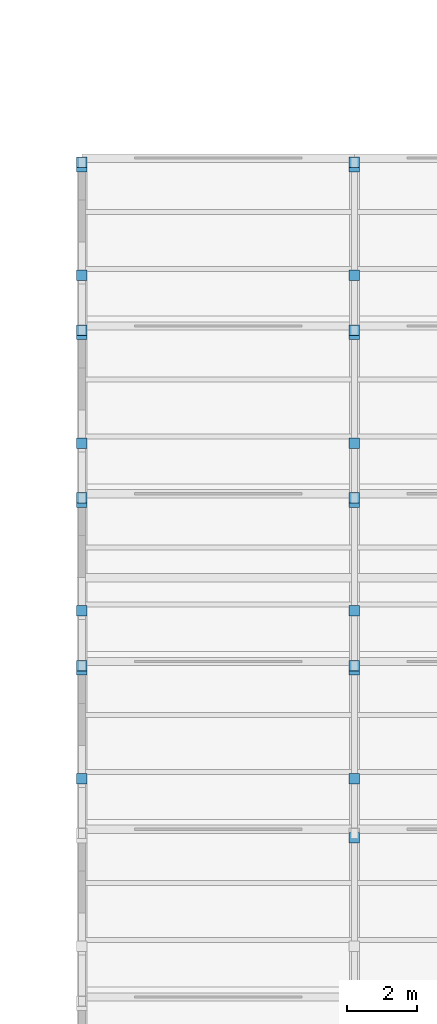
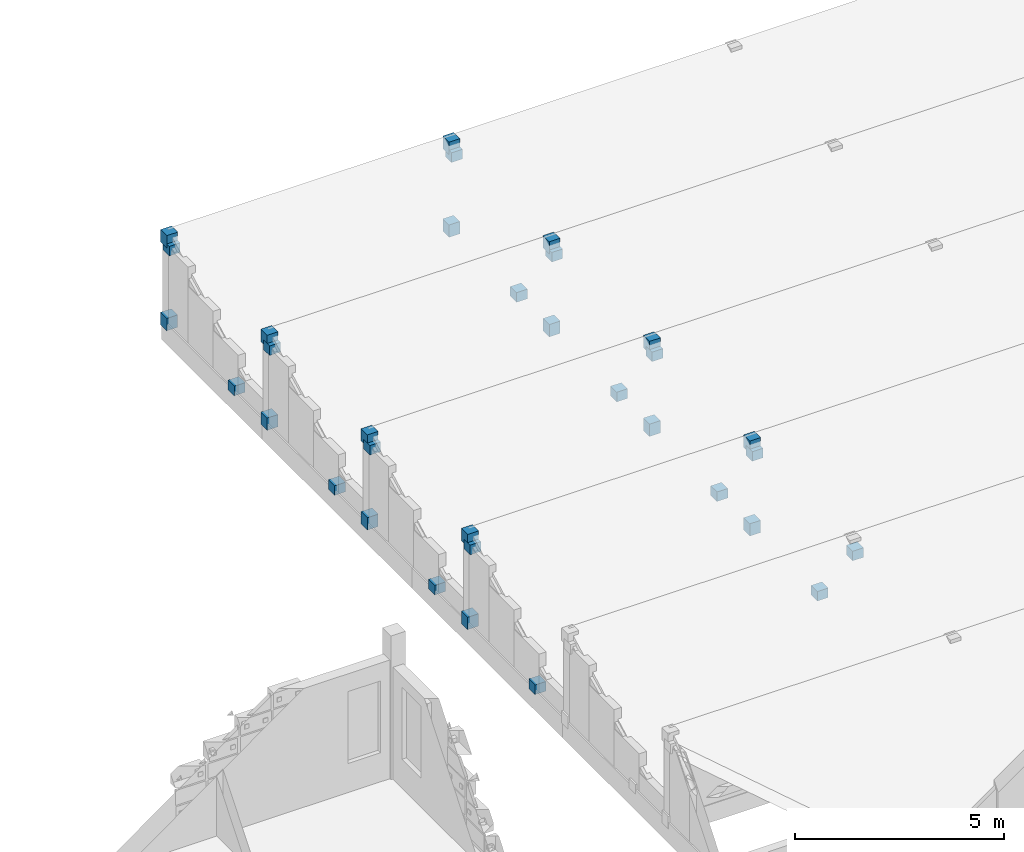
# One storey, part 49 of 81: 33 plates.
"""IFC4 building model written with IfcOpenShell, lengths in metres."""

from ifc_helpers import new_model, si_unit, direction, frame, origin, origin_2d, place, context, subcontext, project, spatial, rectangle, extrude, material, layer, layer_set, type_object, element, save


model = new_model("IFC4")

# Units and contexts
model_context = context("Model", 3, precision=1e-05, world=origin(), true_north=direction((0.0, 1.0)))
body_context = subcontext(model_context, "Body", "Model", "MODEL_VIEW")
ifc_project = project(units=[si_unit("LENGTHUNIT", "METRE"), si_unit("AREAUNIT", "SQUARE_METRE"), si_unit("VOLUMEUNIT", "CUBIC_METRE"), si_unit("PLANEANGLEUNIT", "RADIAN"), si_unit("MASSUNIT", "GRAM", prefix="KILO")], contexts=[model_context])

# Site, building, storey
site_placement = place(None, origin())
site = spatial("IfcSite", under=ifc_project, at=site_placement, CompositionType="ELEMENT")
building_placement = place(site_placement, origin())
building = spatial("IfcBuilding", under=site, at=building_placement, Name="Kahlenmark Community Centre", CompositionType="ELEMENT")
storey_placement = place(building_placement, frame((0.0, 0.0, 9.60009765625)))
storey = spatial("IfcBuildingStorey", under=building, at=storey_placement, Name="L02", CompositionType="ELEMENT", Elevation=9.60009765625)

# Plates
ifc_material = material(Name="Steel S355", Category="steel")
ifc_layer_1 = layer(ifc_material, 0.02392578125)
ifc_layer_set_1 = layer_set([ifc_layer_1], Name="Steel S355")
plate_type_1 = type_object("IfcPlateType", Name="PT-NODE-SN-01-30X30X28", PredefinedType="USERDEFINED", material=ifc_layer_set_1)
for number, where, z_axis, x_axis, name in (
    (1, (129.39990234375, 22.9599609375, 2.080078125), (0.0, 0.0, 1.0), (1.0, 0.0, 0.0), "Steel hollow-node cap plate 0247"),
    (2, (121.60009765625, 27.760009765625, 2.080078125), (0.0, 0.0, 1.0), (1.0, 0.0, 0.0), "Steel hollow-node cap plate 0271"),
    (3, (121.60009765625, 24.64990234375, -0.1201171875), (0.0, 0.0, 1.0), (1.0, 0.0, 0.0), "Steel hollow-node cap plate 0272"),
    (4, (129.39990234375, 27.760009765625, 2.080078125), (0.0, 0.0, 1.0), (1.0, 0.0, 0.0), "Steel hollow-node cap plate 0275"),
    (5, (129.39990234375, 24.64990234375, -0.1201171875), (0.0, 0.0, 1.0), (1.0, 0.0, 0.0), "Steel hollow-node cap plate 0276"),
    (6, (121.60009765625, 32.56005859375, 2.080078125), (0.0, 0.0, 1.0), (1.0, 0.0, 0.0), "Steel hollow-node cap plate 0287"),
    (7, (121.60009765625, 29.449951171875, -0.1201171875), (0.0, 0.0, 1.0), (1.0, 0.0, 0.0), "Steel hollow-node cap plate 0288"),
    (8, (129.39990234375, 32.56005859375, 2.080078125), (0.0, 0.0, 1.0), (1.0, 0.0, 0.0), "Steel hollow-node cap plate 0291"),
    (9, (129.39990234375, 29.449951171875, -0.1201171875), (0.0, 0.0, 1.0), (1.0, 0.0, 0.0), "Steel hollow-node cap plate 0292"),
    (10, (121.60009765625, 37.360107421875, 2.080078125), (0.0, 0.0, 1.0), (1.0, 0.0, 0.0), "Steel hollow-node cap plate 0303"),
    (11, (121.60009765625, 34.25, -0.1201171875), (0.0, 0.0, 1.0), (1.0, 0.0, 0.0), "Steel hollow-node cap plate 0304"),
    (12, (129.39990234375, 37.360107421875, 2.080078125), (0.0, 0.0, 1.0), (1.0, 0.0, 0.0), "Steel hollow-node cap plate 0307"),
    (13, (129.39990234375, 34.25, -0.1201171875), (0.0, 0.0, 1.0), (1.0, 0.0, 0.0), "Steel hollow-node cap plate 0308"),
    (14, (121.60009765625, 42.159912109375, 2.080078125), (0.0, 0.0, 1.0), (1.0, 0.0, 0.0), "Steel hollow-node cap plate 0319"),
    (15, (121.60009765625, 39.050048828125, -0.1201171875), (0.0, 0.0, 1.0), (1.0, 0.0, 0.0), "Steel hollow-node cap plate 0320"),
    (16, (129.39990234375, 42.159912109375, 2.080078125), (0.0, 0.0, 1.0), (1.0, 0.0, 0.0), "Steel hollow-node cap plate 0323"),
    (17, (129.39990234375, 39.050048828125, -0.1201171875), (0.0, 0.0, 1.0), (1.0, 0.0, 0.0), "Steel hollow-node cap plate 0324"),
):
    element("IfcPlate", number, at=place(storey_placement, frame(where, z_axis=z_axis, x_axis=x_axis)), inside=storey, type_object=plate_type_1, Name=name, ObjectType="STIFFENER_PLATE", PredefinedType="USERDEFINED", context=body_context, shape_type="SweptSolid", body=[
        extrude(rectangle(XDim=0.300048828125, YDim=0.300048828125, at=origin_2d()), origin(), (0.0, 0.0, 1.0), 0.280029296875),
    ])
ifc_layer_2 = layer(ifc_material, 0.02392578125)
ifc_layer_set_2 = layer_set([ifc_layer_2], Name="Steel S355")
plate_type_2 = type_object("IfcPlateType", Name="PT-NODE-SN-01-30X30X36", PredefinedType="USERDEFINED", material=ifc_layer_set_2)
for number, where, z_axis, x_axis, name in (
    (18, (121.60009765625, 27.8798828125, -0.18017578125), (0.0, 0.0, 1.0), (1.0, 0.0, 0.0), "Steel hollow-node cap plate 0269"),
    (19, (121.60009765625, 27.8798828125, 2.23974609375), (0.0, 0.0, 1.0), (1.0, 0.0, 0.0), "Steel hollow-node cap plate 0270"),
    (20, (129.39990234375, 27.8798828125, -0.18017578125), (0.0, 0.0, 1.0), (1.0, 0.0, 0.0), "Steel hollow-node cap plate 0273"),
    (21, (129.39990234375, 27.8798828125, 2.23974609375), (0.0, 0.0, 1.0), (1.0, 0.0, 0.0), "Steel hollow-node cap plate 0274"),
    (22, (121.60009765625, 32.679931640625, -0.18017578125), (0.0, 0.0, 1.0), (1.0, 0.0, 0.0), "Steel hollow-node cap plate 0285"),
    (23, (121.60009765625, 32.679931640625, 2.23974609375), (0.0, 0.0, 1.0), (1.0, 0.0, 0.0), "Steel hollow-node cap plate 0286"),
    (24, (129.39990234375, 32.679931640625, -0.18017578125), (0.0, 0.0, 1.0), (1.0, 0.0, 0.0), "Steel hollow-node cap plate 0289"),
    (25, (129.39990234375, 32.679931640625, 2.23974609375), (0.0, 0.0, 1.0), (1.0, 0.0, 0.0), "Steel hollow-node cap plate 0290"),
    (26, (121.60009765625, 37.47998046875, -0.18017578125), (0.0, 0.0, 1.0), (1.0, 0.0, 0.0), "Steel hollow-node cap plate 0301"),
    (27, (121.60009765625, 37.47998046875, 2.23974609375), (0.0, 0.0, 1.0), (1.0, 0.0, 0.0), "Steel hollow-node cap plate 0302"),
    (28, (129.39990234375, 37.47998046875, -0.18017578125), (0.0, 0.0, 1.0), (1.0, 0.0, 0.0), "Steel hollow-node cap plate 0305"),
    (29, (129.39990234375, 37.47998046875, 2.23974609375), (0.0, 0.0, 1.0), (1.0, 0.0, 0.0), "Steel hollow-node cap plate 0306"),
    (30, (121.60009765625, 42.280029296875, -0.18017578125), (0.0, 0.0, 1.0), (1.0, 0.0, 0.0), "Steel hollow-node cap plate 0317"),
    (31, (121.60009765625, 42.280029296875, 2.23974609375), (0.0, 0.0, 1.0), (1.0, 0.0, 0.0), "Steel hollow-node cap plate 0318"),
    (32, (129.39990234375, 42.280029296875, -0.18017578125), (0.0, 0.0, 1.0), (1.0, 0.0, 0.0), "Steel hollow-node cap plate 0321"),
    (33, (129.39990234375, 42.280029296875, 2.23974609375), (0.0, 0.0, 1.0), (1.0, 0.0, 0.0), "Steel hollow-node cap plate 0322"),
):
    element("IfcPlate", number, at=place(storey_placement, frame(where, z_axis=z_axis, x_axis=x_axis)), inside=storey, type_object=plate_type_2, Name=name, ObjectType="STIFFENER_PLATE", PredefinedType="USERDEFINED", context=body_context, shape_type="SweptSolid", body=[
        extrude(rectangle(XDim=0.300048828125, YDim=0.300048828125, at=origin_2d()), origin(), (0.0, 0.0, 1.0), 0.360107421875),
    ])

save(model, "model.ifc")
